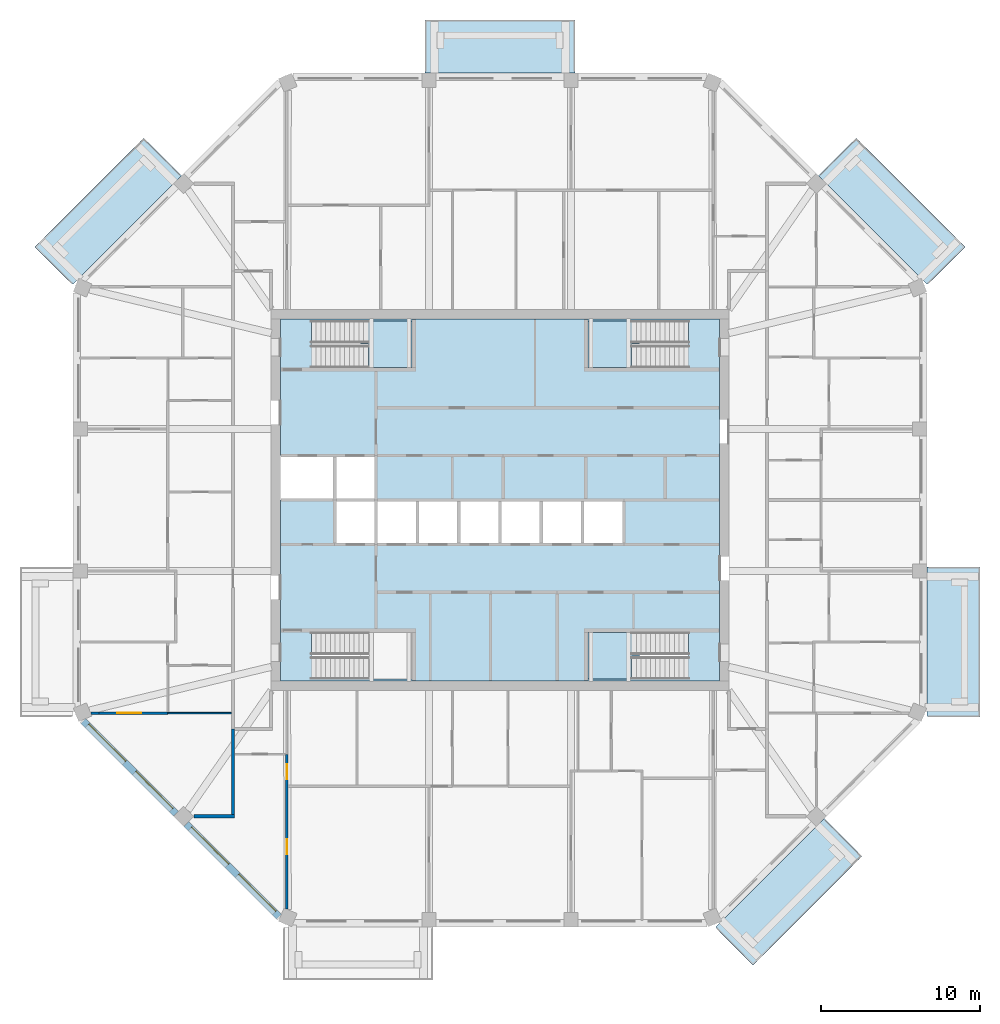
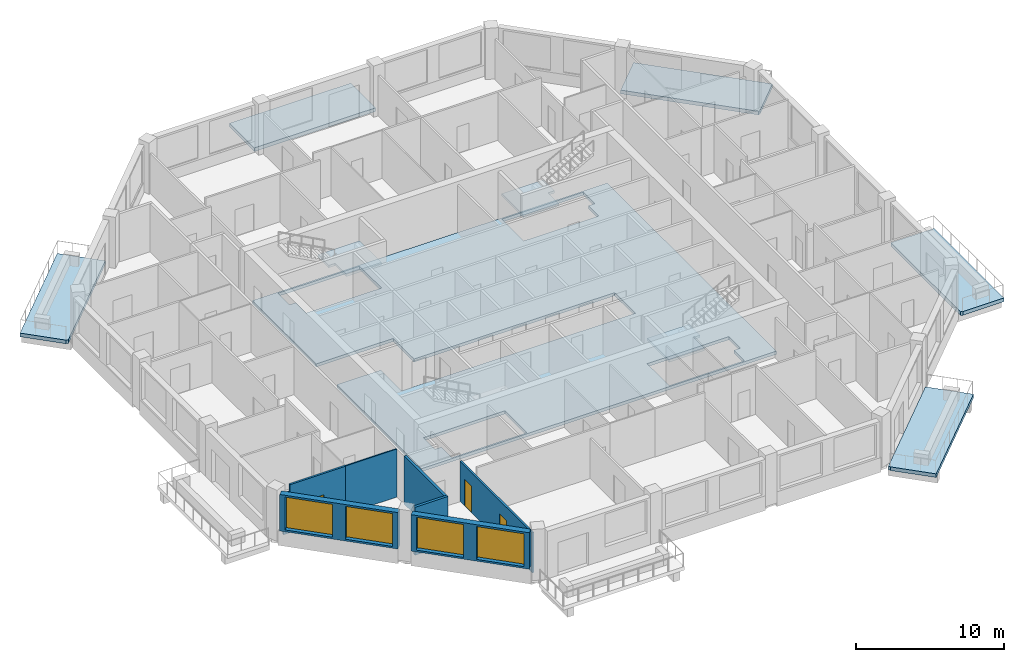
# One storey, part 2 of 11: 9 slabs, 8 walls, 4 windows, 3 doors, 7 openings, 3 elements without a shape of their own.
"""IFC4 building model written with IfcOpenShell, lengths in metres."""

from ifc_helpers import new_model, si_unit, direction, frame, frame_2d, origin, place, context, subcontext, project, spatial, polyline, rectangle, outline, extrude, material, layer, layer_set, type_object, element, fill, aggregate, save


model = new_model("IFC4")

# Units and contexts
model_context = context("Model", 3, precision=1e-05, world=origin(), true_north=direction((0.0, 1.0)))
body_context = subcontext(model_context, "Body", "Model", "MODEL_VIEW")
ifc_project = project(units=[si_unit("LENGTHUNIT", "METRE"), si_unit("AREAUNIT", "SQUARE_METRE"), si_unit("VOLUMEUNIT", "CUBIC_METRE"), si_unit("PLANEANGLEUNIT", "RADIAN"), si_unit("MASSUNIT", "GRAM", prefix="KILO")], contexts=[model_context])

# Site, building, storey
site_placement = place(None, origin())
site = spatial("IfcSite", under=ifc_project, at=site_placement, CompositionType="ELEMENT")
building_placement = place(site_placement, origin())
building = spatial("IfcBuilding", under=site, at=building_placement, Name="Msitu Wima Residences", CompositionType="ELEMENT")
storey_placement = place(building_placement, frame((0.0, 0.0, 260.10009765625)))
storey = spatial("IfcBuildingStorey", under=building, at=storey_placement, Name="L60", CompositionType="ELEMENT", Elevation=260.10009765625)

# Slabs
ifc_material_1 = material(Name="Concrete C40/50", Category="concrete")
ifc_layer_1 = layer(ifc_material_1, 0.300048828125)
ifc_layer_set_1 = layer_set([ifc_layer_1], Name="Concrete C40/50")
slab_type_1 = type_object("IfcSlabType", Name="Balcony slab BS300", PredefinedType="FLOOR", material=ifc_layer_set_1)
slab_1_placement = place(storey_placement, frame((0.0, 0.0, -0.300048828125)))
element("IfcSlab", 1, at=slab_1_placement, inside=storey, type_object=slab_type_1, Name="Balcony E0 L60", PredefinedType="FLOOR", context=body_context, shape_type="SweptSolid", body=[
    extrude(outline(polyline([(26.85009765625, -13.105224609375), (26.85009765625, -13.105224609375), (26.85009765625, -4.918701171875), (26.85009765625, -4.21875), (30.199951171875, -4.21875), (30.199951171875, -13.656005859375), (27.003662109375, -13.656005859375), (26.85009765625, -13.59228515625), (26.85009765625, -13.105224609375), (26.85009765625, -13.105224609375)])), origin(), (0.0, 0.0, 1.0), 0.300048828125),
])
slab_2_placement = place(storey_placement, frame((0.0, 0.0, -0.300048828125)))
element("IfcSlab", 2, at=slab_2_placement, inside=storey, type_object=slab_type_1, Name="Balcony NE0 L60", PredefinedType="FLOOR", context=body_context, shape_type="SweptSolid", body=[
    extrude(outline(polyline([(26.505615234375, 13.936767578125), (26.505615234375, 13.936767578125), (20.04443359375, 20.39794921875), (22.4130859375, 22.766845703125), (29.263671875, 15.916015625), (27.003662109375, 13.656005859375), (26.85009765625, 13.59228515625), (26.505615234375, 13.936767578125), (26.505615234375, 13.936767578125)])), origin(), (0.0, 0.0, 1.0), 0.300048828125),
])
slab_3_placement = place(storey_placement, frame((0.0, 0.0, -0.300048828125)))
element("IfcSlab", 3, at=slab_3_placement, inside=storey, type_object=slab_type_1, Name="Balcony N1 L60", PredefinedType="FLOOR", context=body_context, shape_type="SweptSolid", body=[
    extrude(outline(polyline([(4.0185546875, 26.85009765625), (-4.0185546875, 26.85009765625), (-4.71875, 26.85009765625), (-4.71875, 30.199951171875), (4.71875, 30.199951171875), (4.71875, 26.85009765625), (4.0185546875, 26.85009765625)])), origin(), (0.0, 0.0, 1.0), 0.300048828125),
])
slab_4_placement = place(storey_placement, frame((0.0, 0.0, -0.300048828125)))
element("IfcSlab", 4, at=slab_4_placement, inside=storey, type_object=slab_type_1, Name="Balcony NW1 L60", PredefinedType="FLOOR", context=body_context, shape_type="SweptSolid", body=[
    extrude(outline(polyline([(-26.505615234375, 13.936767578125), (-26.505615234375, 13.936767578125), (-26.85009765625, 13.59228515625), (-27.003662109375, 13.656005859375), (-29.263671875, 15.916015625), (-22.4130859375, 22.766845703125), (-20.04443359375, 20.39794921875), (-26.505615234375, 13.936767578125), (-26.505615234375, 13.936767578125)])), origin(), (0.0, 0.0, 1.0), 0.300048828125),
])
slab_5_placement = place(storey_placement, frame((0.0, 0.0, -0.300048828125)))
element("IfcSlab", 5, at=slab_5_placement, inside=storey, type_object=slab_type_1, Name="Balcony SE0 L60", PredefinedType="FLOOR", context=body_context, shape_type="SweptSolid", body=[
    extrude(outline(polyline([(13.936767578125, -26.505615234375), (13.936767578125, -26.505615234375), (20.39794921875, -20.04443359375), (22.766845703125, -22.4130859375), (15.916015625, -29.263671875), (13.656005859375, -27.003662109375), (13.59228515625, -26.85009765625), (13.936767578125, -26.505615234375), (13.936767578125, -26.505615234375)])), origin(), (0.0, 0.0, 1.0), 0.300048828125),
])
ifc_layer_2 = layer(ifc_material_1, 0.25)
ifc_layer_set_2 = layer_set([ifc_layer_2], Name="Concrete C40/50")
slab_type_2 = type_object("IfcSlabType", Name="Core floor CF250", PredefinedType="FLOOR", material=ifc_layer_set_2)
slab_6_placement = place(storey_placement, frame((0.0, 0.0, -0.25)))
element("IfcSlab", 6, at=slab_6_placement, inside=storey, type_object=slab_type_2, Name="Core floor", PredefinedType="FLOOR", context=body_context, shape_type="SweptSolid", body=[
    extrude(outline(polyline([(-13.800048828125, 11.39990234375), (-13.800048828125, 2.800048828125), (-10.39990234375, 2.800048828125), (-7.800048828125, 2.800048828125), (-7.800048828125, 0.0), (-5.199951171875, 0.0), (-2.60009765625, 0.0), (0.0, 0.0), (2.60009765625, 0.0), (5.199951171875, 0.0), (7.800048828125, 0.0), (7.800048828125, -2.800048828125), (5.199951171875, -2.800048828125), (2.60009765625, -2.800048828125), (0.0, -2.800048828125), (-2.60009765625, -2.800048828125), (-5.199951171875, -2.800048828125), (-7.800048828125, -2.800048828125), (-10.39990234375, -2.800048828125), (-10.39990234375, 0.0), (-13.800048828125, 0.0), (-13.800048828125, -11.39990234375), (13.800048828125, -11.39990234375), (13.800048828125, 11.39990234375), (-13.800048828125, 11.39990234375)]), holes=[polyline([(-11.375, -11.27490234375), (-11.375, -9.875), (-11.87451171875, -9.875), (-11.87451171875, -8.324951171875), (-5.52490234375, -8.324951171875), (-5.52490234375, -11.27490234375), (-11.375, -11.27490234375)]), polyline([(-11.375, 8.324951171875), (-11.375, 9.72509765625), (-11.87451171875, 9.72509765625), (-11.87451171875, 11.27490234375), (-5.52490234375, 11.27490234375), (-5.52490234375, 8.324951171875), (-11.375, 8.324951171875)]), polyline([(11.375, -9.875), (11.375, -11.27490234375), (5.52490234375, -11.27490234375), (5.52490234375, -8.324951171875), (11.87451171875, -8.324951171875), (11.87451171875, -9.875), (11.375, -9.875)]), polyline([(11.375, 9.72509765625), (11.375, 8.324951171875), (5.52490234375, 8.324951171875), (5.52490234375, 11.27490234375), (11.87451171875, 11.27490234375), (11.87451171875, 9.72509765625), (11.375, 9.72509765625)])]), origin(), (0.0, 0.0, 1.0), 0.25),
])

# Stair, slab
stair_type = type_object("IfcStairType", Name="Exit stair ES1615-140", PredefinedType="HALF_TURN_STAIR", material=ifc_material_1)
stair_1_placement = place(storey_placement, origin())
stair_1 = element("IfcStair", 7, at=stair_1_placement, inside=storey, type_object=stair_type, Name="Exit stair 1", PredefinedType="HALF_TURN_STAIR")
ifc_layer_3 = layer(ifc_material_1, 0.199951171875)
ifc_layer_set_3 = layer_set([ifc_layer_3], Name="Concrete C40/50")
slab_type_3 = type_object("IfcSlabType", Name="Stair landing SL200", PredefinedType="LANDING", material=ifc_layer_set_3)
slab_7_placement = place(storey_placement, frame((0.0, 0.0, 1.89990234375)))
slab_7 = element("IfcSlab", 8, at=slab_7_placement, type_object=slab_type_3, Name="S1 landing 1", PredefinedType="LANDING", context=body_context, shape_type="SweptSolid", body=[
    extrude(outline(polyline([(-5.52490234375, 8.324951171875), (-8.275390625, 8.324951171875), (-8.275390625, 9.800048828125), (-8.77490234375, 9.800048828125), (-8.77490234375, 11.27490234375), (-5.52490234375, 11.27490234375), (-5.52490234375, 8.324951171875)])), origin(), (0.0, 0.0, 1.0), 0.199951171875),
])
aggregate(stair_1, [slab_7])

stair_2_placement = place(storey_placement, origin())
stair_2 = element("IfcStair", 9, at=stair_2_placement, inside=storey, type_object=stair_type, Name="Exit stair 3", PredefinedType="HALF_TURN_STAIR")
slab_8_placement = place(storey_placement, frame((0.0, 0.0, 1.89990234375)))
slab_8 = element("IfcSlab", 10, at=slab_8_placement, type_object=slab_type_3, Name="S3 landing 1", PredefinedType="LANDING", context=body_context, shape_type="SweptSolid", body=[
    extrude(outline(polyline([(5.52490234375, 8.324951171875), (8.275390625, 8.324951171875), (8.275390625, 9.800048828125), (8.77490234375, 9.800048828125), (8.77490234375, 11.27490234375), (5.52490234375, 11.27490234375), (5.52490234375, 8.324951171875)])), origin(), (0.0, 0.0, 1.0), 0.199951171875),
])
aggregate(stair_2, [slab_8])

stair_3_placement = place(storey_placement, origin())
stair_3 = element("IfcStair", 11, at=stair_3_placement, inside=storey, type_object=stair_type, Name="Exit stair 4", PredefinedType="HALF_TURN_STAIR")
slab_9_placement = place(storey_placement, frame((0.0, 0.0, 1.89990234375)))
slab_9 = element("IfcSlab", 12, at=slab_9_placement, type_object=slab_type_3, Name="S4 landing 1", PredefinedType="LANDING", context=body_context, shape_type="SweptSolid", body=[
    extrude(outline(polyline([(5.52490234375, -11.27490234375), (8.275390625, -11.27490234375), (8.275390625, -9.800048828125), (8.77490234375, -9.800048828125), (8.77490234375, -8.324951171875), (5.52490234375, -8.324951171875), (5.52490234375, -11.27490234375)])), origin(), (0.0, 0.0, 1.0), 0.199951171875),
])
aggregate(stair_3, [slab_9])

# Wall, openings, windows
ifc_material_2 = material(Name="Brick (red buff mix)", Category="masonry")
ifc_layer_4 = layer(ifc_material_2, 0.449951171875)
ifc_layer_set_4 = layer_set([ifc_layer_4], Name="Brick (red buff mix)")
wall_type_1 = type_object("IfcWallType", Name="Brick infill wall BW450", PredefinedType="SOLIDWALL", material=ifc_layer_set_4)
wall_1_placement = place(storey_placement, frame((-26.214599609375, -13.909423828125, 0.89990234375), z_axis=(0.0, 0.0, 1.0), x_axis=(0.707106781187, -0.707106781187, 0.0)))
wall_1 = element("IfcWall", 13, at=wall_1_placement, inside=storey, type_object=wall_type_1, Name="Brick infill wall L60 SW0", PredefinedType="SOLIDWALL", context=body_context, shape_type="SweptSolid", body=[
    extrude(rectangle(XDim=8.251220703125, YDim=0.449951171875, at=frame_2d((4.12548828125, 0.0))), origin(), (0.0, 0.0, 1.0), 3.0),
])
opening_1_placement = place(wall_1_placement, frame((0.37548828125, 0.0, 0.14990234375)))
opening_1 = element("IfcOpeningElement", 14, at=opening_1_placement, cuts=wall_1, Name="Opening W60-62.025", PredefinedType="OPENING", context=body_context, shape_type="SweptSolid", body=[
    extrude(rectangle(XDim=3.300048828125, YDim=2.699951171875, at=frame_2d((1.64990234375, 1.35009765625))), frame((0.0, 0.23486328125, 0.0), z_axis=(0.0, -1.0, 0.0), x_axis=(1.0, 0.0, 0.0)), (0.0, 0.0, 1.0), 0.469970703125),
])
opening_2_placement = place(wall_1_placement, frame((4.57568359375, 0.0, 0.14990234375)))
opening_2 = element("IfcOpeningElement", 15, at=opening_2_placement, cuts=wall_1, Name="Opening W60-62.026", PredefinedType="OPENING", context=body_context, shape_type="SweptSolid", body=[
    extrude(rectangle(XDim=3.300048828125, YDim=2.699951171875, at=frame_2d((1.64990234375, 1.35009765625))), frame((0.0, 0.23486328125, 0.0), z_axis=(0.0, -1.0, 0.0), x_axis=(1.0, 0.0, 0.0)), (0.0, 0.0, 1.0), 0.469970703125),
])
ifc_material_3 = material(Name="Anodised aluminium, bronze finish, clear low-emissivity double glazing", Category="aluminium")
window_type = type_object("IfcWindowType", Name="Window W3300x2700", PartitioningType="DOUBLE_PANEL_VERTICAL", PredefinedType="WINDOW", material=ifc_material_3)
window_1_placement = place(opening_1_placement, origin())
window_1 = element("IfcWindow", 16, at=window_1_placement, inside=storey, type_object=window_type, Name="Window L60 SW0.1", OverallHeight=2.699951171875, OverallWidth=3.300048828125, PartitioningType="SINGLE_PANEL", PredefinedType="WINDOW", context=body_context, shape_type="SweptSolid", body=[
    extrude(rectangle(XDim=3.300048828125, YDim=2.699951171875, at=frame_2d((1.64990234375, 1.35009765625))), frame((0.0, 0.135009765625, 0.0), z_axis=(0.0, -1.0, 0.0), x_axis=(1.0, 0.0, 0.0)), (0.0, 0.0, 1.0), 0.06005859375),
])
fill(opening_1, window_1)
window_2_placement = place(opening_2_placement, origin())
window_2 = element("IfcWindow", 17, at=window_2_placement, inside=storey, type_object=window_type, Name="Window L60 SW0.2", OverallHeight=2.699951171875, OverallWidth=3.300048828125, PartitioningType="SINGLE_PANEL", PredefinedType="WINDOW", context=body_context, shape_type="SweptSolid", body=[
    extrude(rectangle(XDim=3.300048828125, YDim=2.699951171875, at=frame_2d((1.64990234375, 1.35009765625))), frame((0.0, 0.135009765625, 0.0), z_axis=(0.0, -1.0, 0.0), x_axis=(1.0, 0.0, 0.0)), (0.0, 0.0, 1.0), 0.06005859375),
])
fill(opening_2, window_2)

wall_2_placement = place(storey_placement, frame((-19.743896484375, -20.380126953125, 0.89990234375), z_axis=(0.0, 0.0, 1.0), x_axis=(0.707106781187, -0.707106781187, 0.0)))
wall_2 = element("IfcWall", 18, at=wall_2_placement, inside=storey, type_object=wall_type_1, Name="Brick infill wall L60 SW1", PredefinedType="SOLIDWALL", context=body_context, shape_type="SweptSolid", body=[
    extrude(rectangle(XDim=8.251220703125, YDim=0.449951171875, at=frame_2d((4.12548828125, 0.0))), origin(), (0.0, 0.0, 1.0), 3.0),
])
opening_3_placement = place(wall_2_placement, frame((0.37548828125, 0.0, 0.14990234375)))
opening_3 = element("IfcOpeningElement", 19, at=opening_3_placement, cuts=wall_2, Name="Opening W60-62.027", PredefinedType="OPENING", context=body_context, shape_type="SweptSolid", body=[
    extrude(rectangle(XDim=3.300048828125, YDim=2.699951171875, at=frame_2d((1.64990234375, 1.35009765625))), frame((0.0, 0.23486328125, 0.0), z_axis=(0.0, -1.0, 0.0), x_axis=(1.0, 0.0, 0.0)), (0.0, 0.0, 1.0), 0.469970703125),
])
opening_4_placement = place(wall_2_placement, frame((4.57568359375, 0.0, 0.14990234375)))
opening_4 = element("IfcOpeningElement", 20, at=opening_4_placement, cuts=wall_2, Name="Opening W60-62.028", PredefinedType="OPENING", context=body_context, shape_type="SweptSolid", body=[
    extrude(rectangle(XDim=3.300048828125, YDim=2.699951171875, at=frame_2d((1.64990234375, 1.35009765625))), frame((0.0, 0.23486328125, 0.0), z_axis=(0.0, -1.0, 0.0), x_axis=(1.0, 0.0, 0.0)), (0.0, 0.0, 1.0), 0.469970703125),
])
window_3_placement = place(opening_3_placement, origin())
window_3 = element("IfcWindow", 21, at=window_3_placement, inside=storey, type_object=window_type, Name="Window L60 SW1.1", OverallHeight=2.699951171875, OverallWidth=3.300048828125, PartitioningType="SINGLE_PANEL", PredefinedType="WINDOW", context=body_context, shape_type="SweptSolid", body=[
    extrude(rectangle(XDim=3.300048828125, YDim=2.699951171875, at=frame_2d((1.64990234375, 1.35009765625))), frame((0.0, 0.135009765625, 0.0), z_axis=(0.0, -1.0, 0.0), x_axis=(1.0, 0.0, 0.0)), (0.0, 0.0, 1.0), 0.06005859375),
])
fill(opening_3, window_3)
window_4_placement = place(opening_4_placement, origin())
window_4 = element("IfcWindow", 22, at=window_4_placement, inside=storey, type_object=window_type, Name="Window L60 SW1.2", OverallHeight=2.699951171875, OverallWidth=3.300048828125, PartitioningType="SINGLE_PANEL", PredefinedType="WINDOW", context=body_context, shape_type="SweptSolid", body=[
    extrude(rectangle(XDim=3.300048828125, YDim=2.699951171875, at=frame_2d((1.64990234375, 1.35009765625))), frame((0.0, 0.135009765625, 0.0), z_axis=(0.0, -1.0, 0.0), x_axis=(1.0, 0.0, 0.0)), (0.0, 0.0, 1.0), 0.06005859375),
])
fill(opening_4, window_4)

# Wall
ifc_material_4 = material(Name="Plaster")
ifc_layer_5 = layer(ifc_material_4, 0.011962890625, Name="Plaster")
ifc_material_5 = material(Name="Concrete blockwork", Category="masonry")
ifc_layer_6 = layer(ifc_material_5, 0.1259765625, Name="Concrete blockwork")
ifc_layer_7 = layer(ifc_material_4, 0.011962890625, Name="Plaster")
ifc_layer_set_5 = layer_set([ifc_layer_5, ifc_layer_6, ifc_layer_7], Name="Concrete blockwork")
wall_type_2 = type_object("IfcWallType", Name="Partition PW150", PredefinedType="PARTITIONING", material=ifc_layer_set_5)
wall_3_placement = place(storey_placement, frame((-25.731201171875, -13.406005859375, 0.0), z_axis=(0.0, 0.0, 1.0), x_axis=(1.0, 0.0, 0.0)))
element("IfcWall", 23, at=wall_3_placement, inside=storey, type_object=wall_type_2, Name="Partition", PredefinedType="PARTITIONING", context=body_context, shape_type="SweptSolid", body=[
    extrude(rectangle(XDim=0.507080078125, YDim=0.14990234375, at=frame_2d((0.25341796875, 0.0))), origin(), (0.0, 0.0, 1.0), 3.349853515625),
])

# Wall, opening, door
wall_4_placement = place(storey_placement, frame((-25.22412109375, -13.406005859375, 0.0), z_axis=(0.0, 0.0, 1.0), x_axis=(1.0, 0.0, 0.0)))
wall_4 = element("IfcWall", 24, at=wall_4_placement, inside=storey, type_object=wall_type_2, Name="Partition", PredefinedType="PARTITIONING", context=body_context, shape_type="SweptSolid", body=[
    extrude(rectangle(XDim=4.32421875, YDim=0.14990234375, at=frame_2d((2.162109375, 0.0))), origin(), (0.0, 0.0, 1.0), 3.949951171875),
])
opening_5_placement = place(wall_4_placement, frame((1.142822265625, 0.0, 0.0)))
opening_5 = element("IfcOpeningElement", 25, at=opening_5_placement, cuts=wall_4, Name="Opening D60-62.047", PredefinedType="OPENING", context=body_context, shape_type="SweptSolid", body=[
    extrude(rectangle(XDim=1.5, YDim=2.199951171875, at=frame_2d((0.75, 1.10009765625))), frame((0.0, 0.0849609375, 0.0), z_axis=(0.0, -1.0, 0.0), x_axis=(1.0, 0.0, 0.0)), (0.0, 0.0, 1.0), 0.169921875),
])
ifc_material_6 = material(Name="Timber double door", Category="wood")
door_type_1 = type_object("IfcDoorType", Name="Double door D04 1500x2200", OperationType="DOUBLE_DOOR_SINGLE_SWING", PredefinedType="DOOR", material=ifc_material_6)
door_1_placement = place(opening_5_placement, origin())
door_1 = element("IfcDoor", 26, at=door_1_placement, inside=storey, type_object=door_type_1, Name="Double door", OperationType="DOUBLE_DOOR_SINGLE_SWING", OverallHeight=2.199951171875, OverallWidth=1.5, PredefinedType="DOOR", context=body_context, shape_type="SweptSolid", body=[
    extrude(rectangle(XDim=1.5, YDim=2.199951171875, at=frame_2d((0.75, 1.10009765625))), frame((0.0, 0.02490234375, 0.0), z_axis=(0.0, -1.0, 0.0), x_axis=(1.0, 0.0, 0.0)), (0.0, 0.0, 1.0), 0.050048828125),
])
fill(opening_5, door_1)

# Wall, openings, doors
wall_5_placement = place(storey_placement, frame((-13.406005859375, -25.731201171875, 0.0), z_axis=(0.0, 0.0, 1.0), x_axis=(0.0, 1.0, 0.0)))
wall_5 = element("IfcWall", 27, at=wall_5_placement, inside=storey, type_object=wall_type_2, Name="Partition", PredefinedType="PARTITIONING", context=body_context, shape_type="SweptSolid", body=[
    extrude(rectangle(XDim=9.731201171875, YDim=0.14990234375, at=frame_2d((4.86572265625, 0.0))), origin(), (0.0, 0.0, 1.0), 3.2998046875),
])
opening_6_placement = place(wall_5_placement, frame((3.449951171875, 0.0, 0.0)))
opening_6 = element("IfcOpeningElement", 28, at=opening_6_placement, cuts=wall_5, Name="Opening D60-62.054", PredefinedType="OPENING", context=body_context, shape_type="SweptSolid", body=[
    extrude(rectangle(XDim=0.949951171875, YDim=2.199951171875, at=frame_2d((0.47509765625, 1.10009765625))), frame((0.0, 0.0849609375, 0.0), z_axis=(0.0, -1.0, 0.0), x_axis=(1.0, 0.0, 0.0)), (0.0, 0.0, 1.0), 0.169921875),
])
opening_7_placement = place(wall_5_placement, frame((8.14990234375, 0.0, 0.0)))
opening_7 = element("IfcOpeningElement", 29, at=opening_7_placement, cuts=wall_5, Name="Opening D60-62.055", PredefinedType="OPENING", context=body_context, shape_type="SweptSolid", body=[
    extrude(rectangle(XDim=0.949951171875, YDim=2.199951171875, at=frame_2d((0.47509765625, 1.10009765625))), frame((0.0, 0.0849609375, 0.0), z_axis=(0.0, -1.0, 0.0), x_axis=(1.0, 0.0, 0.0)), (0.0, 0.0, 1.0), 0.169921875),
])
ifc_material_7 = material(Name="Timber flush door", Category="wood")
door_type_2 = type_object("IfcDoorType", Name="Room door D12 950x2200", OperationType="SINGLE_SWING_LEFT", PredefinedType="DOOR", material=ifc_material_7)
door_2_placement = place(opening_6_placement, origin())
door_2 = element("IfcDoor", 30, at=door_2_placement, inside=storey, type_object=door_type_2, Name="Room door", OperationType="SINGLE_SWING_RIGHT", OverallHeight=2.199951171875, OverallWidth=0.949951171875, PredefinedType="DOOR", context=body_context, shape_type="SweptSolid", body=[
    extrude(rectangle(XDim=0.949951171875, YDim=2.199951171875, at=frame_2d((0.47509765625, 1.10009765625))), frame((0.0, 0.02490234375, 0.0), z_axis=(0.0, -1.0, 0.0), x_axis=(1.0, 0.0, 0.0)), (0.0, 0.0, 1.0), 0.050048828125),
])
fill(opening_6, door_2)
door_3_placement = place(opening_7_placement, origin())
door_3 = element("IfcDoor", 31, at=door_3_placement, inside=storey, type_object=door_type_2, Name="Room door", OperationType="SINGLE_SWING_RIGHT", OverallHeight=2.199951171875, OverallWidth=0.949951171875, PredefinedType="DOOR", context=body_context, shape_type="SweptSolid", body=[
    extrude(rectangle(XDim=0.949951171875, YDim=2.199951171875, at=frame_2d((0.47509765625, 1.10009765625))), frame((0.0, 0.02490234375, 0.0), z_axis=(0.0, -1.0, 0.0), x_axis=(1.0, 0.0, 0.0)), (0.0, 0.0, 1.0), 0.050048828125),
])
fill(opening_7, door_3)

# Walls
ifc_layer_8 = layer(ifc_material_4, 0.011962890625, Name="Plaster")
ifc_material_8 = material(Name="Dense concrete blockwork", Category="masonry")
ifc_layer_9 = layer(ifc_material_8, 0.176025390625, Name="Dense concrete blockwork")
ifc_layer_10 = layer(ifc_material_4, 0.011962890625, Name="Plaster")
ifc_layer_set_6 = layer_set([ifc_layer_8, ifc_layer_9, ifc_layer_10], Name="Dense concrete blockwork")
wall_type_3 = type_object("IfcWallType", Name="Party wall PW200", PredefinedType="PARTITIONING", material=ifc_layer_set_6)
wall_6_placement = place(storey_placement, frame((-19.2666015625, -19.90283203125, 0.0), z_axis=(0.0, 0.0, 1.0), x_axis=(1.0, 0.0, 0.0)))
element("IfcWall", 32, at=wall_6_placement, inside=storey, type_object=wall_type_3, Name="Party wall", PredefinedType="PARTITIONING", context=body_context, shape_type="SweptSolid", body=[
    extrude(rectangle(XDim=2.566650390625, YDim=0.199951171875, at=frame_2d((1.283203125, 0.0))), origin(), (0.0, 0.0, 1.0), 3.949951171875),
])
wall_7_placement = place(storey_placement, frame((-16.800048828125, -19.802978515625, 0.0), z_axis=(0.0, 0.0, 1.0), x_axis=(0.0, 1.0, 0.0)))
element("IfcWall", 33, at=wall_7_placement, inside=storey, type_object=wall_type_3, Name="Party wall", PredefinedType="PARTITIONING", context=body_context, shape_type="SweptSolid", body=[
    extrude(rectangle(XDim=5.403076171875, YDim=0.199951171875, at=frame_2d((2.70166015625, 0.0))), origin(), (0.0, 0.0, 1.0), 3.949951171875),
])
ifc_material_9 = material(Name="Ceramic tiles")
ifc_layer_11 = layer(ifc_material_9, 0.008056640625, Name="Ceramic tiles")
ifc_material_10 = material(Name="Moisture-resistant board")
ifc_layer_12 = layer(ifc_material_10, 0.012451171875, Name="Moisture-resistant board")
ifc_material_11 = material(Name="Light-gauge stud framing with mineral wool")
ifc_layer_13 = layer(ifc_material_11, 0.06689453125, Name="Light-gauge stud framing with mineral wool")
ifc_layer_14 = layer(ifc_material_10, 0.012451171875, Name="Moisture-resistant board")
ifc_layer_set_7 = layer_set([ifc_layer_11, ifc_layer_12, ifc_layer_13, ifc_layer_14], Name="Light-gauge stud framing with mineral wool")
wall_type_4 = type_object("IfcWallType", Name="Wet wall PW100", PredefinedType="PARTITIONING", material=ifc_layer_set_7)
wall_8_placement = place(storey_placement, frame((-20.89990234375, -13.406005859375, 0.0), z_axis=(0.0, 0.0, 1.0), x_axis=(1.0, 0.0, 0.0)))
element("IfcWall", 34, at=wall_8_placement, inside=storey, type_object=wall_type_4, Name="Wet wall", PredefinedType="PARTITIONING", context=body_context, shape_type="SweptSolid", body=[
    extrude(rectangle(XDim=4.0, YDim=0.10009765625, at=frame_2d((2.0, 0.0))), origin(), (0.0, 0.0, 1.0), 3.949951171875),
])

save(model, "model.ifc")
